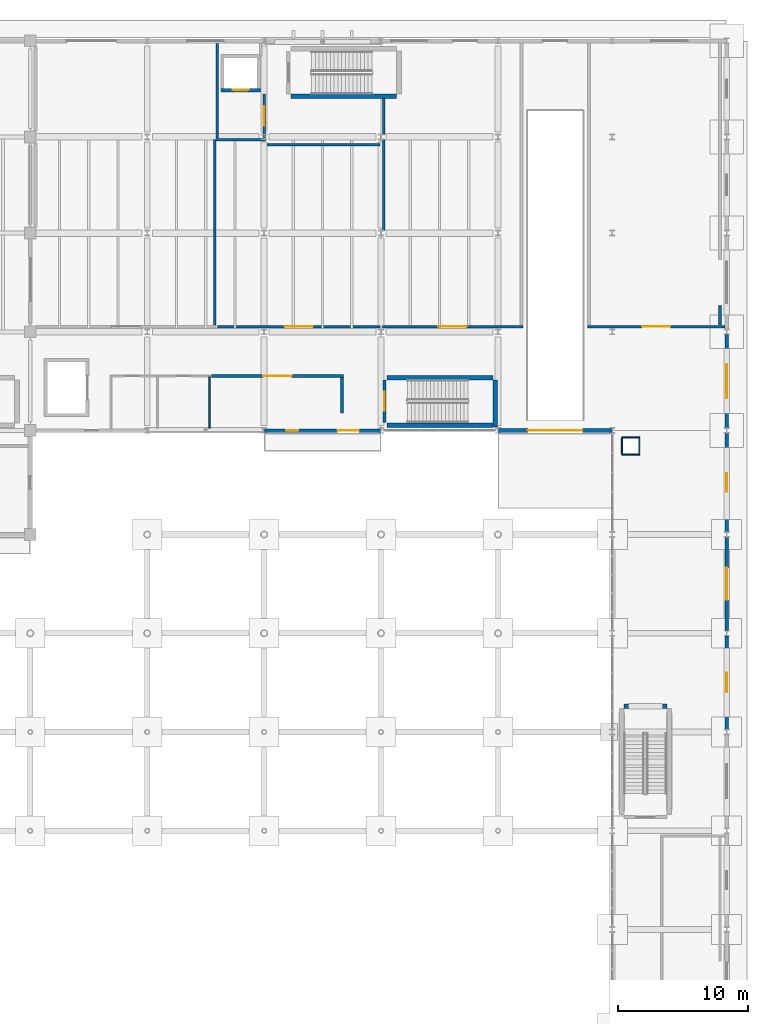
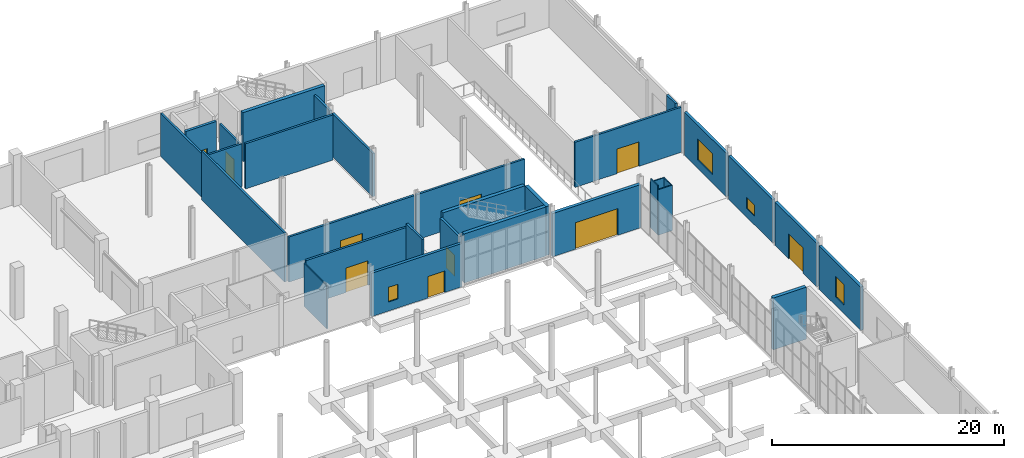
# One storey, part 79 of 95: 31 walls, 10 doors, 4 windows, 14 openings.
"""IFC4 building model written with IfcOpenShell, lengths in metres."""

from ifc_helpers import new_model, si_unit, direction, frame, frame_2d, origin, place, context, subcontext, project, spatial, rectangle, extrude, material, layer, layer_set, type_object, element, fill, save


model = new_model("IFC4")

# Units and contexts
model_context = context("Model", 3, precision=1e-05, world=origin(), true_north=direction((0.0, 1.0)))
body_context = subcontext(model_context, "Body", "Model", "MODEL_VIEW")
ifc_project = project(units=[si_unit("LENGTHUNIT", "METRE"), si_unit("AREAUNIT", "SQUARE_METRE"), si_unit("VOLUMEUNIT", "CUBIC_METRE"), si_unit("PLANEANGLEUNIT", "RADIAN"), si_unit("MASSUNIT", "GRAM", prefix="KILO")], contexts=[model_context])

# Site, building, storey
site_placement = place(None, origin())
site = spatial("IfcSite", under=ifc_project, at=site_placement, CompositionType="ELEMENT")
building_placement = place(site_placement, origin())
building = spatial("IfcBuilding", under=site, at=building_placement, Name="Shengluoqiao Park Theatre", CompositionType="ELEMENT")
storey_placement = place(building_placement, origin())
storey = spatial("IfcBuildingStorey", under=building, at=storey_placement, Name="L00", CompositionType="ELEMENT", Elevation=0.0)

# Wall, openings, door, window
ifc_material_1 = material(Name="Concrete C40", Category="concrete")
ifc_layer_1 = layer(ifc_material_1, 0.27001953125, Name="Concrete C40")
ifc_layer_set_1 = layer_set([ifc_layer_1], Name="Concrete C40")
wall_type_1 = type_object("IfcWallType", Name="ENV-WL-CONC270", PredefinedType="STANDARD", material=ifc_layer_set_1)
wall_1_placement = place(storey_placement, frame((139.386474609375, 84.0, 0.0), z_axis=(0.0, 0.0, 1.0), x_axis=(-1.0, 0.0, 0.0)))
wall_1 = element("IfcWall", 1, at=wall_1_placement, inside=storey, type_object=wall_type_1, Name="L00 Exterior Wall 0169", PredefinedType="STANDARD", context=body_context, shape_type="SweptSolid", body=[
    extrude(rectangle(XDim=8.972900390625, YDim=0.27001953125, at=frame_2d((4.486328125, 0.0))), origin(), (0.0, 0.0, 1.0), 4.550048828125),
])
opening_1_placement = place(wall_1_placement, frame((6.344482421875, 0.0, 0.949951171875)))
opening_1 = element("IfcOpeningElement", 2, at=opening_1_placement, cuts=wall_1, Name="Opening W-08", PredefinedType="OPENING", context=body_context, shape_type="SweptSolid", body=[
    extrude(rectangle(XDim=0.949951171875, YDim=1.550048828125, at=frame_2d((0.47509765625, 0.77490234375))), frame((0.0, 0.14501953125, 0.0), z_axis=(0.0, -1.0, 0.0), x_axis=(1.0, 0.0, 0.0)), (0.0, 0.0, 1.0), 0.2900390625),
])
opening_2_placement = place(wall_1_placement, frame((1.6875, 0.0, 0.0)))
opening_2 = element("IfcOpeningElement", 3, at=opening_2_placement, cuts=wall_1, Name="Opening ED-ST10-016", PredefinedType="OPENING", context=body_context, shape_type="SweptSolid", body=[
    extrude(rectangle(XDim=1.64990234375, YDim=2.25, at=frame_2d((0.824951171875, 1.125))), frame((0.0, 0.14501953125, 0.0), z_axis=(0.0, -1.0, 0.0), x_axis=(1.0, 0.0, 0.0)), (0.0, 0.0, 1.0), 0.2900390625),
])
ifc_material_2 = material(Name="Steel Q355", Category="steel")
door_type_1 = type_object("IfcDoorType", Name="ENV-DR-EX165", OperationType="DOUBLE_DOOR_SINGLE_SWING", PredefinedType="DOOR", material=ifc_material_2)
door_1_placement = place(opening_2_placement, origin())
door_1 = element("IfcDoor", 4, at=door_1_placement, inside=storey, type_object=door_type_1, Name="Backstage Stair ST-10 Direct Exit Door ED-ST10-016", OperationType="DOUBLE_DOOR_SINGLE_SWING", OverallHeight=2.25, OverallWidth=1.64990234375, PredefinedType="DOOR", context=body_context, shape_type="SweptSolid", body=[
    extrude(rectangle(XDim=1.64990234375, YDim=2.25, at=frame_2d((0.824951171875, 1.125))), frame((0.0, 0.02490234375, 0.0), z_axis=(0.0, -1.0, 0.0), x_axis=(1.0, 0.0, 0.0)), (0.0, 0.0, 1.0), 0.050048828125),
])
fill(opening_2, door_1)
ifc_material_3 = material(Name="Insulated glass", Category="glass")
window_type_1 = type_object("IfcWindowType", Name="ENV-WIN-W08", PartitioningType="SINGLE_PANEL", PredefinedType="WINDOW", material=ifc_material_3)
window_1_placement = place(opening_1_placement, origin())
window_1 = element("IfcWindow", 5, at=window_1_placement, inside=storey, type_object=window_type_1, Name="L00 Acoustic Window 0022", OverallHeight=1.550048828125, OverallWidth=0.949951171875, PartitioningType="SINGLE_PANEL", PredefinedType="WINDOW", context=body_context, shape_type="SweptSolid", body=[
    extrude(rectangle(XDim=0.949951171875, YDim=1.550048828125, at=frame_2d((0.47509765625, 0.77490234375))), frame((0.0, 0.030029296875, 0.0), z_axis=(0.0, -1.0, 0.0), x_axis=(1.0, 0.0, 0.0)), (0.0, 0.0, 1.0), 0.06005859375),
])
fill(opening_1, window_1)

# Wall, opening, window
wall_2_placement = place(storey_placement, frame((166.0, 61.00390625, 0.0), z_axis=(0.0, 0.0, 1.0), x_axis=(0.0, 1.0, 0.0)))
wall_2 = element("IfcWall", 6, at=wall_2_placement, inside=storey, type_object=wall_type_1, Name="L00 Exterior Wall 0179", PredefinedType="STANDARD", context=body_context, shape_type="SweptSolid", body=[
    extrude(rectangle(XDim=7.192138671875, YDim=0.27001953125, at=frame_2d((3.59619140625, 0.0))), origin(), (0.0, 0.0, 1.0), 4.550048828125),
])
opening_3_placement = place(wall_2_placement, frame((2.845947265625, 0.0, 0.89990234375)))
opening_3 = element("IfcOpeningElement", 7, at=opening_3_placement, cuts=wall_2, Name="Opening W-03", PredefinedType="OPENING", context=body_context, shape_type="SweptSolid", body=[
    extrude(rectangle(XDim=1.5, YDim=2.14990234375, at=frame_2d((0.75, 1.074951171875))), frame((0.0, 0.14501953125, 0.0), z_axis=(0.0, -1.0, 0.0), x_axis=(1.0, 0.0, 0.0)), (0.0, 0.0, 1.0), 0.2900390625),
])
window_type_2 = type_object("IfcWindowType", Name="ENV-WIN-W03", PartitioningType="DOUBLE_PANEL_VERTICAL", PredefinedType="WINDOW", material=ifc_material_3)
window_2_placement = place(opening_3_placement, origin())
window_2 = element("IfcWindow", 8, at=window_2_placement, inside=storey, type_object=window_type_2, Name="L00 Acoustic Window 0029", OverallHeight=2.14990234375, OverallWidth=1.5, PartitioningType="DOUBLE_PANEL_VERTICAL", PredefinedType="WINDOW", context=body_context, shape_type="SweptSolid", body=[
    extrude(rectangle(XDim=1.5, YDim=2.14990234375, at=frame_2d((0.75, 1.074951171875))), frame((0.0, 0.030029296875, 0.0), z_axis=(0.0, -1.0, 0.0), x_axis=(1.0, 0.0, 0.0)), (0.0, 0.0, 1.0), 0.06005859375),
])
fill(opening_3, window_2)

# Wall, opening, door
wall_3_placement = place(storey_placement, frame((166.0, 68.60400390625, 0.0), z_axis=(0.0, 0.0, 1.0), x_axis=(0.0, 1.0, 0.0)))
wall_3 = element("IfcWall", 9, at=wall_3_placement, inside=storey, type_object=wall_type_1, Name="L00 Exterior Wall 0180", PredefinedType="STANDARD", context=body_context, shape_type="SweptSolid", body=[
    extrude(rectangle(XDim=7.19189453125, YDim=0.27001953125, at=frame_2d((3.595947265625, 0.0))), origin(), (0.0, 0.0, 1.0), 4.550048828125),
])
opening_4_placement = place(wall_3_placement, frame((2.37109375, 0.0, 0.0)))
opening_4 = element("IfcOpeningElement", 10, at=opening_4_placement, cuts=wall_3, Name="Opening ED-ART-020", PredefinedType="OPENING", context=body_context, shape_type="SweptSolid", body=[
    extrude(rectangle(XDim=2.449951171875, YDim=2.64990234375, at=frame_2d((1.22509765625, 1.324951171875))), frame((0.0, 0.14501953125, 0.0), z_axis=(0.0, -1.0, 0.0), x_axis=(1.0, 0.0, 0.0)), (0.0, 0.0, 1.0), 0.2900390625),
])
ifc_material_4 = material(Name="Aluminium 6063-T6", Category="aluminium")
door_type_2 = type_object("IfcDoorType", Name="ENV-DR-EX245", OperationType="DOUBLE_DOOR_SINGLE_SWING", PredefinedType="DOOR", material=ifc_material_4)
door_2_placement = place(opening_4_placement, origin())
door_2 = element("IfcDoor", 11, at=door_2_placement, inside=storey, type_object=door_type_2, Name="Artist Stage-Door Entrance ED-ART-020", OperationType="DOUBLE_DOOR_SINGLE_SWING", OverallHeight=2.64990234375, OverallWidth=2.449951171875, PredefinedType="DOOR", context=body_context, shape_type="SweptSolid", body=[
    extrude(rectangle(XDim=2.449951171875, YDim=2.64990234375, at=frame_2d((1.22509765625, 1.324951171875))), frame((0.0, 0.02490234375, 0.0), z_axis=(0.0, -1.0, 0.0), x_axis=(1.0, 0.0, 0.0)), (0.0, 0.0, 1.0), 0.050048828125),
])
fill(opening_4, door_2)

# Wall, opening, window
wall_4_placement = place(storey_placement, frame((166.0, 76.2041015625, 0.0), z_axis=(0.0, 0.0, 1.0), x_axis=(0.0, 1.0, 0.0)))
wall_4 = element("IfcWall", 12, at=wall_4_placement, inside=storey, type_object=wall_type_1, Name="L00 Exterior Wall 0181", PredefinedType="STANDARD", context=body_context, shape_type="SweptSolid", body=[
    extrude(rectangle(XDim=7.591796875, YDim=0.27001953125, at=frame_2d((3.7958984375, 0.0))), origin(), (0.0, 0.0, 1.0), 4.550048828125),
])
opening_5_placement = place(wall_4_placement, frame((3.095947265625, 0.0, 0.89990234375)))
opening_5 = element("IfcOpeningElement", 13, at=opening_5_placement, cuts=wall_4, Name="Opening W-12", PredefinedType="OPENING", context=body_context, shape_type="SweptSolid", body=[
    extrude(rectangle(XDim=1.39990234375, YDim=1.199951171875, at=frame_2d((0.699951171875, 0.60009765625))), frame((0.0, 0.14501953125, 0.0), z_axis=(0.0, -1.0, 0.0), x_axis=(1.0, 0.0, 0.0)), (0.0, 0.0, 1.0), 0.2900390625),
])
window_type_3 = type_object("IfcWindowType", Name="ENV-WIN-W12", PartitioningType="SINGLE_PANEL", PredefinedType="WINDOW", material=ifc_material_3)
window_3_placement = place(opening_5_placement, origin())
window_3 = element("IfcWindow", 14, at=window_3_placement, inside=storey, type_object=window_type_3, Name="L00 Acoustic Window 0030", OverallHeight=1.199951171875, OverallWidth=1.39990234375, PartitioningType="SINGLE_PANEL", PredefinedType="WINDOW", context=body_context, shape_type="SweptSolid", body=[
    extrude(rectangle(XDim=1.39990234375, YDim=1.199951171875, at=frame_2d((0.699951171875, 0.60009765625))), frame((0.0, 0.030029296875, 0.0), z_axis=(0.0, -1.0, 0.0), x_axis=(1.0, 0.0, 0.0)), (0.0, 0.0, 1.0), 0.06005859375),
])
fill(opening_5, window_3)

wall_5_placement = place(storey_placement, frame((166.0, 84.2041015625, 0.0), z_axis=(0.0, 0.0, 1.0), x_axis=(0.0, 1.0, 0.0)))
wall_5 = element("IfcWall", 15, at=wall_5_placement, inside=storey, type_object=wall_type_1, Name="L00 Exterior Wall 0182", PredefinedType="STANDARD", context=body_context, shape_type="SweptSolid", body=[
    extrude(rectangle(XDim=7.19189453125, YDim=0.27001953125, at=frame_2d((3.595947265625, 0.0))), origin(), (0.0, 0.0, 1.0), 4.550048828125),
])
opening_6_placement = place(wall_5_placement, frame((2.2958984375, 0.0, 0.89990234375)))
opening_6 = element("IfcOpeningElement", 16, at=opening_6_placement, cuts=wall_5, Name="Opening W-14", PredefinedType="OPENING", context=body_context, shape_type="SweptSolid", body=[
    extrude(rectangle(XDim=2.60009765625, YDim=2.199951171875, at=frame_2d((1.300048828125, 1.10009765625))), frame((0.0, 0.14501953125, 0.0), z_axis=(0.0, -1.0, 0.0), x_axis=(1.0, 0.0, 0.0)), (0.0, 0.0, 1.0), 0.2900390625),
])
window_type_4 = type_object("IfcWindowType", Name="ENV-WIN-W14", PartitioningType="DOUBLE_PANEL_VERTICAL", PredefinedType="WINDOW", material=ifc_material_3)
window_4_placement = place(opening_6_placement, origin())
window_4 = element("IfcWindow", 17, at=window_4_placement, inside=storey, type_object=window_type_4, Name="L00 Acoustic Window 0031", OverallHeight=2.199951171875, OverallWidth=2.60009765625, PartitioningType="DOUBLE_PANEL_VERTICAL", PredefinedType="WINDOW", context=body_context, shape_type="SweptSolid", body=[
    extrude(rectangle(XDim=2.60009765625, YDim=2.199951171875, at=frame_2d((1.300048828125, 1.10009765625))), frame((0.0, 0.030029296875, 0.0), z_axis=(0.0, -1.0, 0.0), x_axis=(1.0, 0.0, 0.0)), (0.0, 0.0, 1.0), 0.06005859375),
])
fill(opening_6, window_4)

# Wall, opening, door
ifc_layer_2 = layer(ifc_material_1, 0.31005859375, Name="Concrete C40")
ifc_layer_set_2 = layer_set([ifc_layer_2], Name="Concrete C40")
wall_type_2 = type_object("IfcWallType", Name="ENV-WL-CONC310", PredefinedType="STANDARD", material=ifc_layer_set_2)
wall_6_placement = place(storey_placement, frame((148.41357421875, 84.0, 0.0), z_axis=(0.0, 0.0, 1.0), x_axis=(1.0, 0.0, 0.0)))
wall_6 = element("IfcWall", 18, at=wall_6_placement, inside=storey, type_object=wall_type_2, Name="L00 Exterior Wall 0170", PredefinedType="STANDARD", context=body_context, shape_type="SweptSolid", body=[
    extrude(rectangle(XDim=8.77294921875, YDim=0.31005859375, at=frame_2d((4.386474609375, 0.0))), origin(), (0.0, 0.0, 1.0), 4.550048828125),
])
opening_7_placement = place(wall_6_placement, frame((2.28662109375, 0.0, 0.0)))
opening_7 = element("IfcOpeningElement", 19, at=opening_7_placement, cuts=wall_6, Name="Opening VG-B1-017", PredefinedType="OPENING", context=body_context, shape_type="SweptSolid", body=[
    extrude(rectangle(XDim=4.199951171875, YDim=2.800048828125, at=frame_2d((2.10009765625, 1.39990234375))), frame((0.0, 0.1650390625, 0.0), z_axis=(0.0, -1.0, 0.0), x_axis=(1.0, 0.0, 0.0)), (0.0, 0.0, 1.0), 0.330078125),
])
door_type_3 = type_object("IfcDoorType", Name="ENV-GT-VEH420", OperationType="ROLLINGUP", PredefinedType="GATE", material=ifc_material_2)
door_3_placement = place(opening_7_placement, origin())
door_3 = element("IfcDoor", 20, at=door_3_placement, inside=storey, type_object=door_type_3, Name="Car Park Vehicle Ramp Gate VG-B1-017", OperationType="ROLLINGUP", OverallHeight=2.800048828125, OverallWidth=4.199951171875, PredefinedType="GATE", context=body_context, shape_type="SweptSolid", body=[
    extrude(rectangle(XDim=4.199951171875, YDim=2.800048828125, at=frame_2d((2.10009765625, 1.39990234375))), frame((0.0, 0.02490234375, 0.0), z_axis=(0.0, -1.0, 0.0), x_axis=(1.0, 0.0, 0.0)), (0.0, 0.0, 1.0), 0.050048828125),
])
fill(opening_7, door_3)

# Wall
ifc_material_5 = material(Name="Concrete blockwork B06", Category="masonry")
ifc_layer_3 = layer(ifc_material_5, 0.2099609375, Name="Concrete blockwork B06")
ifc_layer_set_3 = layer_set([ifc_layer_3], Name="Concrete blockwork B06")
wall_type_3 = type_object("IfcWallType", Name="INT-WL-CMP210", PredefinedType="PARTITIONING", material=ifc_layer_set_3)
wall_7_placement = place(storey_placement, frame((126.60009765625, 92.111083984375, 0.0), z_axis=(0.0, 0.0, 1.0), x_axis=(0.0, 1.0, 0.0)))
element("IfcWall", 21, at=wall_7_placement, inside=storey, type_object=wall_type_3, Name="Scene Dock Partition E", PredefinedType="PARTITIONING", context=body_context, shape_type="SweptSolid", body=[
    extrude(rectangle(XDim=14.2763671875, YDim=0.2099609375, at=frame_2d((7.13818359375, 0.0))), origin(), (0.0, 0.0, 1.0), 5.159912109375),
])

# Wall, opening, door
wall_8_placement = place(storey_placement, frame((126.830078125, 92.0, 0.0), z_axis=(0.0, 0.0, 1.0), x_axis=(1.0, 0.0, 0.0)))
wall_8 = element("IfcWall", 22, at=wall_8_placement, inside=storey, type_object=wall_type_3, Name="Carpentry Workshop Partition S", PredefinedType="PARTITIONING", context=body_context, shape_type="SweptSolid", body=[
    extrude(rectangle(XDim=12.474853515625, YDim=0.2099609375, at=frame_2d((6.2373046875, 0.0))), origin(), (0.0, 0.0, 1.0), 4.748046875),
])
opening_8_placement = place(wall_8_placement, frame((5.1474609375, 0.0, 0.0)))
opening_8 = element("IfcOpeningElement", 23, at=opening_8_placement, cuts=wall_8, Name="Opening D-L00-029", PredefinedType="OPENING", context=body_context, shape_type="SweptSolid", body=[
    extrude(rectangle(XDim=2.179931640625, YDim=2.580078125, at=frame_2d((1.08984375, 1.2900390625))), frame((0.0, 0.114990234375, 0.0), z_axis=(0.0, -1.0, 0.0), x_axis=(1.0, 0.0, 0.0)), (0.0, 0.0, 1.0), 0.22998046875),
])
door_type_4 = type_object("IfcDoorType", Name="INT-DR-WKS218", OperationType="DOUBLE_DOOR_SINGLE_SWING", PredefinedType="DOOR", material=ifc_material_2)
door_4_placement = place(opening_8_placement, origin())
door_4 = element("IfcDoor", 24, at=door_4_placement, inside=storey, type_object=door_type_4, Name="Carpentry Workshop Door D-L00-029", OperationType="DOUBLE_DOOR_SINGLE_SWING", OverallHeight=2.580078125, OverallWidth=2.179931640625, PredefinedType="DOOR", context=body_context, shape_type="SweptSolid", body=[
    extrude(rectangle(XDim=2.179931640625, YDim=2.580078125, at=frame_2d((1.08984375, 1.2900390625))), frame((0.0, 0.02490234375, 0.0), z_axis=(0.0, -1.0, 0.0), x_axis=(1.0, 0.0, 0.0)), (0.0, 0.0, 1.0), 0.050048828125),
])
fill(opening_8, door_4)

# Wall
wall_9_placement = place(storey_placement, frame((130.607421875, 106.0, 0.0), z_axis=(0.0, 0.0, 1.0), x_axis=(1.0, 0.0, 0.0)))
element("IfcWall", 25, at=wall_9_placement, inside=storey, type_object=wall_type_3, Name="Carpentry Workshop Partition N", PredefinedType="PARTITIONING", context=body_context, shape_type="SweptSolid", body=[
    extrude(rectangle(XDim=8.697509765625, YDim=0.2099609375, at=frame_2d((4.3486328125, 0.0))), origin(), (0.0, 0.0, 1.0), 4.748046875),
])

# Wall, opening, door
wall_10_placement = place(storey_placement, frame((126.3349609375, 88.199951171875, 0.0), z_axis=(0.0, 0.0, 1.0), x_axis=(1.0, 0.0, 0.0)))
wall_10 = element("IfcWall", 26, at=wall_10_placement, inside=storey, type_object=wall_type_3, Name="Stage Properties Fabrication Studio Partition N", PredefinedType="PARTITIONING", context=body_context, shape_type="SweptSolid", body=[
    extrude(rectangle(XDim=10.169921875, YDim=0.2099609375, at=frame_2d((5.0849609375, 0.0))), origin(), (0.0, 0.0, 1.0), 4.748046875),
])
opening_9_placement = place(wall_10_placement, frame((3.9951171875, 0.0, 0.0)))
opening_9 = element("IfcOpeningElement", 27, at=opening_9_placement, cuts=wall_10, Name="Opening D-L00-030", PredefinedType="OPENING", context=body_context, shape_type="SweptSolid", body=[
    extrude(rectangle(XDim=2.179931640625, YDim=2.580078125, at=frame_2d((1.08984375, 1.2900390625))), frame((0.0, 0.114990234375, 0.0), z_axis=(0.0, -1.0, 0.0), x_axis=(1.0, 0.0, 0.0)), (0.0, 0.0, 1.0), 0.22998046875),
])
door_5_placement = place(opening_9_placement, origin())
door_5 = element("IfcDoor", 28, at=door_5_placement, inside=storey, type_object=door_type_4, Name="Stage Properties Fabrication Studio Door D-L00-030", OperationType="DOUBLE_DOOR_SINGLE_SWING", OverallHeight=2.580078125, OverallWidth=2.179931640625, PredefinedType="DOOR", context=body_context, shape_type="SweptSolid", body=[
    extrude(rectangle(XDim=2.179931640625, YDim=2.580078125, at=frame_2d((1.08984375, 1.2900390625))), frame((0.0, 0.02490234375, 0.0), z_axis=(0.0, -1.0, 0.0), x_axis=(1.0, 0.0, 0.0)), (0.0, 0.0, 1.0), 0.050048828125),
])
fill(opening_9, door_5)

# Wall
wall_11_placement = place(storey_placement, frame((136.39990234375, 85.340087890625, 0.0), z_axis=(0.0, 0.0, 1.0), x_axis=(0.0, 1.0, 0.0)))
element("IfcWall", 29, at=wall_11_placement, inside=storey, type_object=wall_type_3, Name="Stage Properties Fabrication Studio Partition E", PredefinedType="PARTITIONING", context=body_context, shape_type="SweptSolid", body=[
    extrude(rectangle(XDim=2.7490234375, YDim=0.2099609375, at=frame_2d((1.37451171875, 0.0))), origin(), (0.0, 0.0, 1.0), 5.159912109375),
])

# Wall, opening, door
wall_12_placement = place(storey_placement, frame((139.4951171875, 92.0, 0.0), z_axis=(0.0, 0.0, 1.0), x_axis=(1.0, 0.0, 0.0)))
wall_12 = element("IfcWall", 30, at=wall_12_placement, inside=storey, type_object=wall_type_3, Name="Paint Workshop Partition S", PredefinedType="PARTITIONING", context=body_context, shape_type="SweptSolid", body=[
    extrude(rectangle(XDim=10.809814453125, YDim=0.2099609375, at=frame_2d((5.40478515625, 0.0))), origin(), (0.0, 0.0, 1.0), 4.748046875),
])
opening_10_placement = place(wall_12_placement, frame((4.31494140625, 0.0, 0.0)))
opening_10 = element("IfcOpeningElement", 31, at=opening_10_placement, cuts=wall_12, Name="Opening D-L00-031", PredefinedType="OPENING", context=body_context, shape_type="SweptSolid", body=[
    extrude(rectangle(XDim=2.179931640625, YDim=2.580078125, at=frame_2d((1.08984375, 1.2900390625))), frame((0.0, 0.114990234375, 0.0), z_axis=(0.0, -1.0, 0.0), x_axis=(1.0, 0.0, 0.0)), (0.0, 0.0, 1.0), 0.22998046875),
])
door_6_placement = place(opening_10_placement, origin())
door_6 = element("IfcDoor", 32, at=door_6_placement, inside=storey, type_object=door_type_4, Name="Paint Workshop Door D-L00-031", OperationType="DOUBLE_DOOR_SINGLE_SWING", OverallHeight=2.580078125, OverallWidth=2.179931640625, PredefinedType="DOOR", context=body_context, shape_type="SweptSolid", body=[
    extrude(rectangle(XDim=2.179931640625, YDim=2.580078125, at=frame_2d((1.08984375, 1.2900390625))), frame((0.0, 0.02490234375, 0.0), z_axis=(0.0, -1.0, 0.0), x_axis=(1.0, 0.0, 0.0)), (0.0, 0.0, 1.0), 0.050048828125),
])
fill(opening_10, door_6)

# Walls
wall_13_placement = place(storey_placement, frame((139.60009765625, 106.805908203125, 0.0), z_axis=(0.0, 0.0, 1.0), x_axis=(0.0, 1.0, 0.0)))
element("IfcWall", 33, at=wall_13_placement, inside=storey, type_object=wall_type_3, Name="Paint Workshop Partition W", PredefinedType="PARTITIONING", context=body_context, shape_type="SweptSolid", body=[
    extrude(rectangle(XDim=2.754150390625, YDim=0.2099609375, at=frame_2d((1.376953125, 0.0))), origin(), (0.0, 0.0, 1.0), 4.550048828125),
])
wall_14_placement = place(storey_placement, frame((139.60009765625, 99.406005859375, 0.0), z_axis=(0.0, 0.0, 1.0), x_axis=(0.0, 1.0, 0.0)))
element("IfcWall", 34, at=wall_14_placement, inside=storey, type_object=wall_type_3, Name="Paint Workshop Partition W", PredefinedType="PARTITIONING", context=body_context, shape_type="SweptSolid", body=[
    extrude(rectangle(XDim=6.988037109375, YDim=0.2099609375, at=frame_2d((3.494140625, 0.0))), origin(), (0.0, 0.0, 1.0), 4.550048828125),
])

# Wall, opening, door
wall_15_placement = place(storey_placement, frame((155.294921875, 92.0, 0.0), z_axis=(0.0, 0.0, 1.0), x_axis=(1.0, 0.0, 0.0)))
wall_15 = element("IfcWall", 35, at=wall_15_placement, inside=storey, type_object=wall_type_3, Name="Metalwork Workshop Partition S", PredefinedType="PARTITIONING", context=body_context, shape_type="SweptSolid", body=[
    extrude(rectangle(XDim=10.56201171875, YDim=0.2099609375, at=frame_2d((5.281005859375, 0.0))), origin(), (0.0, 0.0, 1.0), 4.748046875),
])
opening_11_placement = place(wall_15_placement, frame((4.19091796875, 0.0, 0.0)))
opening_11 = element("IfcOpeningElement", 36, at=opening_11_placement, cuts=wall_15, Name="Opening D-L00-032", PredefinedType="OPENING", context=body_context, shape_type="SweptSolid", body=[
    extrude(rectangle(XDim=2.179931640625, YDim=2.580078125, at=frame_2d((1.08984375, 1.2900390625))), frame((0.0, 0.114990234375, 0.0), z_axis=(0.0, -1.0, 0.0), x_axis=(1.0, 0.0, 0.0)), (0.0, 0.0, 1.0), 0.22998046875),
])
door_7_placement = place(opening_11_placement, origin())
door_7 = element("IfcDoor", 37, at=door_7_placement, inside=storey, type_object=door_type_4, Name="Metalwork Workshop Door D-L00-032", OperationType="DOUBLE_DOOR_SINGLE_SWING", OverallHeight=2.580078125, OverallWidth=2.179931640625, PredefinedType="DOOR", context=body_context, shape_type="SweptSolid", body=[
    extrude(rectangle(XDim=2.179931640625, YDim=2.580078125, at=frame_2d((1.08984375, 1.2900390625))), frame((0.0, 0.02490234375, 0.0), z_axis=(0.0, -1.0, 0.0), x_axis=(1.0, 0.0, 0.0)), (0.0, 0.0, 1.0), 0.050048828125),
])
fill(opening_11, door_7)

# Walls
wall_16_placement = place(storey_placement, frame((165.47998046875, 92.111083984375, 0.0), z_axis=(0.0, 0.0, 1.0), x_axis=(0.0, 1.0, 0.0)))
element("IfcWall", 38, at=wall_16_placement, inside=storey, type_object=wall_type_3, Name="Metalwork Workshop Partition E", PredefinedType="PARTITIONING", context=body_context, shape_type="SweptSolid", body=[
    extrude(rectangle(XDim=1.52880859375, YDim=0.2099609375, at=frame_2d((0.764404296875, 0.0))), origin(), (0.0, 0.0, 1.0), 5.159912109375),
])
ifc_layer_4 = layer(ifc_material_5, 0.195068359375, Name="Concrete blockwork B06")
ifc_layer_set_4 = layer_set([ifc_layer_4], Name="Concrete blockwork B06")
wall_type_4 = type_object("IfcWallType", Name="INT-WL-FFL195", PredefinedType="PARTITIONING", material=ifc_layer_set_4)
wall_17_placement = place(storey_placement, frame((126.800048828125, 106.5048828125, 0.0), z_axis=(0.0, 0.0, 1.0), x_axis=(0.0, 1.0, 0.0)))
element("IfcWall", 39, at=wall_17_placement, inside=storey, type_object=wall_type_4, Name="L00 Firefighting Lift Lobby FF2 Fire Wall W", PredefinedType="PARTITIONING", context=body_context, shape_type="SweptSolid", body=[
    extrude(rectangle(XDim=7.275146484375, YDim=0.195068359375, at=frame_2d((3.6376953125, 0.0))), origin(), (0.0, 0.0, 1.0), 4.550048828125),
])
wall_18_placement = place(storey_placement, frame((126.7099609375, 106.39990234375, 0.0), z_axis=(0.0, 0.0, 1.0), x_axis=(1.0, 0.0, 0.0)))
element("IfcWall", 40, at=wall_18_placement, inside=storey, type_object=wall_type_4, Name="L00 Firefighting Lift Lobby FF2 Fire Wall S", PredefinedType="PARTITIONING", context=body_context, shape_type="SweptSolid", body=[
    extrude(rectangle(XDim=3.780029296875, YDim=0.195068359375, at=frame_2d((1.89013671875, 0.0))), origin(), (0.0, 0.0, 1.0), 4.550048828125),
])

# Wall, opening, door
wall_19_placement = place(storey_placement, frame((130.39990234375, 106.5048828125, 0.0), z_axis=(0.0, 0.0, 1.0), x_axis=(0.0, 1.0, 0.0)))
wall_19 = element("IfcWall", 41, at=wall_19_placement, inside=storey, type_object=wall_type_4, Name="L00 Firefighting Lift Lobby FF2 Fire Wall E", PredefinedType="PARTITIONING", context=body_context, shape_type="SweptSolid", body=[
    extrude(rectangle(XDim=3.39013671875, YDim=0.195068359375, at=frame_2d((1.695068359375, 0.0))), origin(), (0.0, 0.0, 1.0), 4.550048828125),
])
opening_12_placement = place(wall_19_placement, frame((0.945068359375, 0.0, 0.0)))
opening_12 = element("IfcOpeningElement", 42, at=opening_12_placement, cuts=wall_19, Name="Opening FD-FFL-2-L00", PredefinedType="OPENING", context=body_context, shape_type="SweptSolid", body=[
    extrude(rectangle(XDim=1.5, YDim=2.199951171875, at=frame_2d((0.75, 1.10009765625))), frame((0.0, 0.107421875, 0.0), z_axis=(0.0, -1.0, 0.0), x_axis=(1.0, 0.0, 0.0)), (0.0, 0.0, 1.0), 0.215087890625),
])
door_type_5 = type_object("IfcDoorType", Name="INT-DR-FFL150", OperationType="DOUBLE_DOOR_SINGLE_SWING", PredefinedType="DOOR", material=ifc_material_2)
door_8_placement = place(opening_12_placement, origin())
door_8 = element("IfcDoor", 43, at=door_8_placement, inside=storey, type_object=door_type_5, Name="L00 Firefighting Lift Lobby FF2 Fire Door FD-FFL-2-L00", OperationType="DOUBLE_DOOR_SINGLE_SWING", OverallHeight=2.199951171875, OverallWidth=1.5, PredefinedType="DOOR", context=body_context, shape_type="SweptSolid", body=[
    extrude(rectangle(XDim=1.5, YDim=2.199951171875, at=frame_2d((0.75, 1.10009765625))), frame((0.0, 0.02490234375, 0.0), z_axis=(0.0, -1.0, 0.0), x_axis=(1.0, 0.0, 0.0)), (0.0, 0.0, 1.0), 0.050048828125),
])
fill(opening_12, door_8)

# Walls
ifc_material_6 = material(Name="Gypsum shaftwall", Category="gypsum")
ifc_layer_5 = layer(ifc_material_6, 0.094970703125, Name="Gypsum shaftwall")
ifc_layer_set_5 = layer_set([ifc_layer_5], Name="Gypsum shaftwall")
wall_type_5 = type_object("IfcWallType", Name="INT-WL-RSR095", PredefinedType="PARTITIONING", material=ifc_layer_set_5)
for number, where, z_axis, x_axis, name in (
    (44, (157.905029296875, 82.14990234375, 0.0), (0.0, 0.0, 1.0), (1.0, 0.0, 0.0), "L00 Service Riser Shaftwall 049"),
    (45, (157.905029296875, 83.469970703125, 0.0), (0.0, 0.0, 1.0), (1.0, 0.0, 0.0), "L00 Service Riser Shaftwall 050"),
):
    element("IfcWall", number, at=place(storey_placement, frame(where, z_axis=z_axis, x_axis=x_axis)), inside=storey, type_object=wall_type_5, Name=name, PredefinedType="PARTITIONING", context=body_context, shape_type="SweptSolid", body=[
        extrude(rectangle(XDim=1.409912109375, YDim=0.094970703125, at=frame_2d((0.705078125, 0.0))), origin(), (0.0, 0.0, 1.0), 4.7880859375),
    ])
wall_20_placement = place(storey_placement, frame((157.949951171875, 82.205078125, 0.0), z_axis=(0.0, 0.0, 1.0), x_axis=(0.0, 1.0, 0.0)))
element("IfcWall", 46, at=wall_20_placement, inside=storey, type_object=wall_type_5, Name="L00 Service Riser Shaftwall 051", PredefinedType="PARTITIONING", context=body_context, shape_type="SweptSolid", body=[
    extrude(rectangle(XDim=1.2099609375, YDim=0.094970703125, at=frame_2d((0.60498046875, 0.0))), origin(), (0.0, 0.0, 1.0), 5.159912109375),
])
wall_21_placement = place(storey_placement, frame((159.27001953125, 82.205078125, 0.0), z_axis=(0.0, 0.0, 1.0), x_axis=(0.0, 1.0, 0.0)))
element("IfcWall", 47, at=wall_21_placement, inside=storey, type_object=wall_type_5, Name="L00 Service Riser Shaftwall 052", PredefinedType="PARTITIONING", context=body_context, shape_type="SweptSolid", body=[
    extrude(rectangle(XDim=1.2099609375, YDim=0.094970703125, at=frame_2d((0.60498046875, 0.0))), origin(), (0.0, 0.0, 1.0), 4.7880859375),
])

# Wall, opening, door
ifc_layer_6 = layer(ifc_material_1, 0.260009765625, Name="Concrete C40")
ifc_layer_set_6 = layer_set([ifc_layer_6], Name="Concrete C40")
wall_type_6 = type_object("IfcWallType", Name="INT-WL-SHF260", PredefinedType="STANDARD", material=ifc_layer_set_6)
wall_22_placement = place(storey_placement, frame((127.070068359375, 110.199951171875, 0.0), z_axis=(0.0, 0.0, 1.0), x_axis=(1.0, 0.0, 0.0)))
wall_22 = element("IfcWall", 48, at=wall_22_placement, inside=storey, type_object=wall_type_6, Name="L00 FF2 Lift Shaft Wall South", PredefinedType="STANDARD", context=body_context, shape_type="SweptSolid", body=[
    extrude(rectangle(XDim=3.059814453125, YDim=0.260009765625, at=frame_2d((1.52978515625, 0.0))), origin(), (0.0, 0.0, 1.0), 4.748046875),
])
opening_13_placement = place(wall_22_placement, frame((0.919921875, 0.0, 0.0)))
opening_13 = element("IfcOpeningElement", 49, at=opening_13_placement, cuts=wall_22, Name="Opening LD-FF2-L00", PredefinedType="OPENING", context=body_context, shape_type="SweptSolid", body=[
    extrude(rectangle(XDim=1.219970703125, YDim=2.199951171875, at=frame_2d((0.60986328125, 1.10009765625))), frame((0.0, 0.139892578125, 0.0), z_axis=(0.0, -1.0, 0.0), x_axis=(1.0, 0.0, 0.0)), (0.0, 0.0, 1.0), 0.280029296875),
])
ifc_material_7 = material(Name="Stainless steel 304", Category="steel")
door_type_6 = type_object("IfcDoorType", Name="INT-DR-LD122", OperationType="SLIDING_TO_RIGHT", PredefinedType="DOOR", material=ifc_material_7)
door_9_placement = place(opening_13_placement, origin())
door_9 = element("IfcDoor", 50, at=door_9_placement, inside=storey, type_object=door_type_6, Name="FF2 Lift Landing Door LD-FF2-L00", OperationType="SLIDING_TO_RIGHT", OverallHeight=2.199951171875, OverallWidth=1.219970703125, PredefinedType="DOOR", context=body_context, shape_type="SweptSolid", body=[
    extrude(rectangle(XDim=1.219970703125, YDim=2.199951171875, at=frame_2d((0.60986328125, 1.10009765625))), frame((0.0, 0.02490234375, 0.0), z_axis=(0.0, -1.0, 0.0), x_axis=(1.0, 0.0, 0.0)), (0.0, 0.0, 1.0), 0.050048828125),
])
fill(opening_13, door_9)

ifc_layer_7 = layer(ifc_material_1, 0.239990234375, Name="Concrete C40")
ifc_layer_set_7 = layer_set([ifc_layer_7], Name="Concrete C40")
wall_type_7 = type_object("IfcWallType", Name="INT-WL-STW240", PredefinedType="STANDARD", material=ifc_layer_set_7)
wall_23_placement = place(storey_placement, frame((139.659912109375, 84.610107421875, 0.0), z_axis=(0.0, 0.0, 1.0), x_axis=(0.0, 1.0, 0.0)))
wall_23 = element("IfcWall", 51, at=wall_23_placement, inside=storey, type_object=wall_type_7, Name="L00 ST-10 Stairwell Fire Wall", PredefinedType="STANDARD", context=body_context, shape_type="SweptSolid", body=[
    extrude(rectangle(XDim=3.27978515625, YDim=0.239990234375, at=frame_2d((1.639892578125, 0.0))), origin(), (0.0, 0.0, 1.0), 4.748046875),
])
opening_14_placement = place(wall_23_placement, frame((0.9150390625, 0.0, 0.0)))
opening_14 = element("IfcOpeningElement", 52, at=opening_14_placement, cuts=wall_23, Name="Opening SD-10-L00", PredefinedType="OPENING", context=body_context, shape_type="SweptSolid", body=[
    extrude(rectangle(XDim=1.449951171875, YDim=2.199951171875, at=frame_2d((0.72509765625, 1.10009765625))), frame((0.0, 0.1298828125, 0.0), z_axis=(0.0, -1.0, 0.0), x_axis=(1.0, 0.0, 0.0)), (0.0, 0.0, 1.0), 0.260009765625),
])
door_type_7 = type_object("IfcDoorType", Name="INT-DR-STW145", OperationType="DOUBLE_DOOR_SINGLE_SWING", PredefinedType="DOOR", material=ifc_material_2)
door_10_placement = place(opening_14_placement, origin())
door_10 = element("IfcDoor", 53, at=door_10_placement, inside=storey, type_object=door_type_7, Name="L00 ST-10 Escape Stair Door SD-10-L00", OperationType="DOUBLE_DOOR_SINGLE_SWING", OverallHeight=2.199951171875, OverallWidth=1.449951171875, PredefinedType="DOOR", context=body_context, shape_type="SweptSolid", body=[
    extrude(rectangle(XDim=1.449951171875, YDim=2.199951171875, at=frame_2d((0.72509765625, 1.10009765625))), frame((0.0, 0.02490234375, 0.0), z_axis=(0.0, -1.0, 0.0), x_axis=(1.0, 0.0, 0.0)), (0.0, 0.0, 1.0), 0.050048828125),
])
fill(opening_14, door_10)

# Walls
ifc_material_8 = material(Name="Moisture-resistant board")
ifc_layer_8 = layer(ifc_material_8, 0.114990234375, Name="Moisture-resistant board")
ifc_layer_set_8 = layer_set([ifc_layer_8], Name="Moisture-resistant board")
wall_type_8 = type_object("IfcWallType", Name="INT-WL-WCP115", PredefinedType="PARTITIONING", material=ifc_layer_set_8)
wall_24_placement = place(storey_placement, frame((126.199951171875, 84.197998046875, 0.0), z_axis=(0.0, 0.0, 1.0), x_axis=(0.0, 1.0, 0.0)))
element("IfcWall", 54, at=wall_24_placement, inside=storey, type_object=wall_type_8, Name="Backstage Staff WC Partition E", PredefinedType="PARTITIONING", context=body_context, shape_type="SweptSolid", body=[
    extrude(rectangle(XDim=3.9384765625, YDim=0.114990234375, at=frame_2d((1.96923828125, 0.0))), origin(), (0.0, 0.0, 1.0), 4.550048828125),
])
ifc_material_9 = material(Name="Concrete C50", Category="concrete")
ifc_layer_9 = layer(ifc_material_9, 0.35009765625, Name="Concrete C50")
ifc_layer_set_9 = layer_set([ifc_layer_9], Name="Concrete C50")
wall_type_9 = type_object("IfcWallType", Name="STR-SW-CORE350", PredefinedType="SHEAR", material=ifc_layer_set_9)
wall_25_placement = place(storey_placement, frame((132.449951171875, 109.719970703125, 0.0), z_axis=(0.0, 0.0, 1.0), x_axis=(1.0, 0.0, 0.0)))
element("IfcWall", 55, at=wall_25_placement, inside=storey, type_object=wall_type_9, Name="L00 ST-06 Core Left Shear Wall 0109", PredefinedType="SHEAR", context=body_context, shape_type="SweptSolid", body=[
    extrude(rectangle(XDim=8.150146484375, YDim=0.35009765625, at=frame_2d((4.0751953125, 0.0))), origin(), (0.0, 0.0, 1.0), 5.159912109375),
])
wall_26_placement = place(storey_placement, frame((139.85009765625, 84.419921875, 0.0), z_axis=(0.0, 0.0, 1.0), x_axis=(1.0, 0.0, 0.0)))
element("IfcWall", 56, at=wall_26_placement, inside=storey, type_object=wall_type_9, Name="L00 ST-10 Core Left Shear Wall 0130", PredefinedType="SHEAR", context=body_context, shape_type="SweptSolid", body=[
    extrude(rectangle(XDim=8.14990234375, YDim=0.35009765625, at=frame_2d((4.074951171875, 0.0))), origin(), (0.0, 0.0, 1.0), 5.159912109375),
])
wall_27_placement = place(storey_placement, frame((148.179931640625, 84.280029296875, 0.0), z_axis=(0.0, 0.0, 1.0), x_axis=(0.0, 1.0, 0.0)))
element("IfcWall", 57, at=wall_27_placement, inside=storey, type_object=wall_type_9, Name="L00 ST-10 Core Far Shear Wall 0131", PredefinedType="SHEAR", context=body_context, shape_type="SweptSolid", body=[
    extrude(rectangle(XDim=3.619873046875, YDim=0.35009765625, at=frame_2d((1.81005859375, 0.0))), origin(), (0.0, 0.0, 1.0), 5.159912109375),
])
wall_28_placement = place(storey_placement, frame((148.0, 88.080078125, 0.0), z_axis=(0.0, 0.0, 1.0), x_axis=(-1.0, 0.0, 0.0)))
element("IfcWall", 58, at=wall_28_placement, inside=storey, type_object=wall_type_9, Name="L00 ST-10 Core Right Shear Wall 0132", PredefinedType="SHEAR", context=body_context, shape_type="SweptSolid", body=[
    extrude(rectangle(XDim=8.14990234375, YDim=0.35009765625, at=frame_2d((4.074951171875, 0.0))), origin(), (0.0, 0.0, 1.0), 5.159912109375),
])
wall_29_placement = place(storey_placement, frame((161.39990234375, 62.780029296875, -0.300048828125), z_axis=(0.0, 0.0, 1.0), x_axis=(-1.0, 0.0, 0.0)))
element("IfcWall", 59, at=wall_29_placement, inside=storey, type_object=wall_type_9, Name="L00 ST-12 Core Far Shear Wall 0161", PredefinedType="SHEAR", context=body_context, shape_type="SweptSolid", body=[
    extrude(rectangle(XDim=3.2998046875, YDim=0.35009765625, at=frame_2d((1.64990234375, 0.0))), origin(), (0.0, 0.0, 1.0), 5.4599609375),
])

save(model, "model.ifc")
